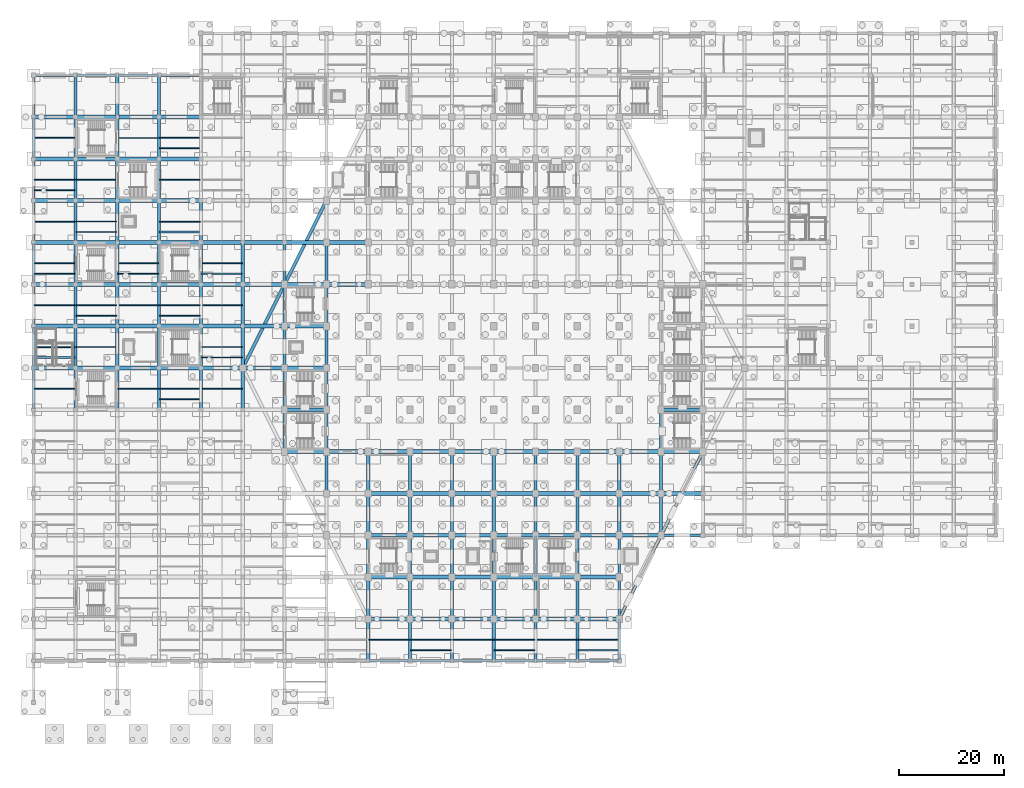
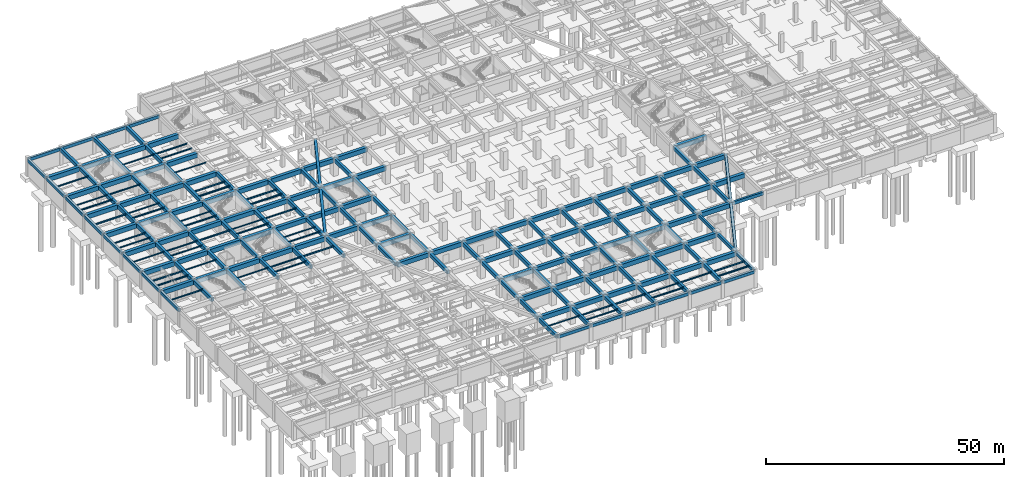
# One storey, part 18 of 36: 231 beams.
"""IFC4 building model written with IfcOpenShell, lengths in metres."""

from ifc_helpers import new_model, si_unit, direction, frame, origin, origin_2d, place, context, subcontext, project, spatial, rectangle, i_section, extrude, material, material_profile, profile_set, type_object, element, save


model = new_model("IFC4")

# Units and contexts
model_context = context("Model", 3, precision=1e-05, world=origin(), true_north=direction((0.0, 1.0)))
body_context = subcontext(model_context, "Body", "Model", "MODEL_VIEW")
ifc_project = project(units=[si_unit("LENGTHUNIT", "METRE"), si_unit("AREAUNIT", "SQUARE_METRE"), si_unit("VOLUMEUNIT", "CUBIC_METRE"), si_unit("PLANEANGLEUNIT", "RADIAN"), si_unit("MASSUNIT", "GRAM", prefix="KILO")], contexts=[model_context])

# Site, building, storey
site_placement = place(None, origin())
site = spatial("IfcSite", under=ifc_project, at=site_placement, CompositionType="ELEMENT")
building_placement = place(site_placement, origin())
building = spatial("IfcBuilding", under=site, at=building_placement, Name="Tazarka Park Arena", CompositionType="ELEMENT")
storey_placement = place(building_placement, frame((0.0, 0.0, -4.800048828125)))
storey = spatial("IfcBuildingStorey", under=building, at=storey_placement, Name="B1", CompositionType="ELEMENT", Elevation=-4.800048828125)

# Beams
ifc_material_1 = material(Name="Concrete C40/50", Category="concrete")
ifc_material_profile_1 = material_profile(ifc_material_1, rectangle(XDim=0.60009765625, YDim=0.949951171875, at=origin_2d()), Name="Concrete C40/50")
ifc_profile_set_1 = profile_set([ifc_material_profile_1], Name="Concrete C40/50")
beam_type_1 = type_object("IfcBeamType", Name="BM-B-03", PredefinedType="BEAM", material=ifc_profile_set_1)
for number, where, z_axis, x_axis, name in (
    (1, (8.0, 56.1201171875, 3.945068359375), (0.0, 1.0, 0.0), (-1.0, 0.0, 0.0), "GYM-B1-01-07"),
    (2, (8.0, 64.1201171875, 3.945068359375), (0.0, 1.0, 0.0), (-1.0, 0.0, 0.0), "GYM-B1-01-08"),
    (3, (8.0, 72.1201171875, 3.945068359375), (0.0, 1.0, 0.0), (-1.0, 0.0, 0.0), "GYM-B1-01-09"),
    (4, (8.0, 80.1201171875, 3.945068359375), (0.0, 1.0, 0.0), (-1.0, 0.0, 0.0), "GYM-B1-01-10"),
    (5, (8.0, 88.1201171875, 3.945068359375), (0.0, 1.0, 0.0), (-1.0, 0.0, 0.0), "GYM-B1-01-11"),
    (6, (8.0, 96.1201171875, 3.945068359375), (0.0, 1.0, 0.0), (-1.0, 0.0, 0.0), "GYM-B1-01-12"),
    (7, (8.0, 104.1201171875, 3.945068359375), (0.0, 1.0, 0.0), (-1.0, 0.0, 0.0), "GYM-B1-01-13"),
    (8, (8.0, 112.1201171875, 3.945068359375), (0.0, 1.0, 0.0), (-1.0, 0.0, 0.0), "GYM-B1-01-14"),
    (9, (16.0, 56.1201171875, 3.945068359375), (0.0, 1.0, 0.0), (-1.0, 0.0, 0.0), "GYM-B1-02-07"),
    (10, (16.0, 64.1201171875, 3.945068359375), (0.0, 1.0, 0.0), (-1.0, 0.0, 0.0), "GYM-B1-02-08"),
    (11, (16.0, 72.1201171875, 3.945068359375), (0.0, 1.0, 0.0), (-1.0, 0.0, 0.0), "GYM-B1-02-09"),
    (12, (16.0, 80.1201171875, 3.945068359375), (0.0, 1.0, 0.0), (-1.0, 0.0, 0.0), "GYM-B1-02-10"),
    (13, (16.0, 88.1201171875, 3.945068359375), (0.0, 1.0, 0.0), (-1.0, 0.0, 0.0), "GYM-B1-02-11"),
    (14, (16.0, 96.1201171875, 3.945068359375), (0.0, 1.0, 0.0), (-1.0, 0.0, 0.0), "GYM-B1-02-12"),
    (15, (16.0, 104.1201171875, 3.945068359375), (0.0, 1.0, 0.0), (-1.0, 0.0, 0.0), "GYM-B1-02-13"),
    (16, (16.0, 112.1201171875, 3.945068359375), (0.0, 1.0, 0.0), (-1.0, 0.0, 0.0), "GYM-B1-02-14"),
    (17, (24.0, 56.1201171875, 3.945068359375), (0.0, 1.0, 0.0), (-1.0, 0.0, 0.0), "GYM-B1-03-07"),
    (18, (24.0, 64.1201171875, 3.945068359375), (0.0, 1.0, 0.0), (-1.0, 0.0, 0.0), "GYM-B1-03-08"),
    (19, (24.0, 72.1201171875, 3.945068359375), (0.0, 1.0, 0.0), (-1.0, 0.0, 0.0), "GYM-B1-03-09"),
    (20, (24.0, 80.1201171875, 3.945068359375), (0.0, 1.0, 0.0), (-1.0, 0.0, 0.0), "GYM-B1-03-10"),
    (21, (24.0, 88.1201171875, 3.945068359375), (0.0, 1.0, 0.0), (-1.0, 0.0, 0.0), "GYM-B1-03-11"),
    (22, (24.0, 96.1201171875, 3.945068359375), (0.0, 1.0, 0.0), (-1.0, 0.0, 0.0), "GYM-B1-03-12"),
    (23, (24.0, 104.1201171875, 3.945068359375), (0.0, 1.0, 0.0), (-1.0, 0.0, 0.0), "GYM-B1-03-13"),
    (24, (24.0, 112.1201171875, 3.945068359375), (0.0, 1.0, 0.0), (-1.0, 0.0, 0.0), "GYM-B1-03-14"),
    (25, (32.0, 56.1201171875, 3.945068359375), (0.0, 1.0, 0.0), (-1.0, 0.0, 0.0), "GYM-B1-04-07"),
    (26, (32.0, 64.1201171875, 3.945068359375), (0.0, 1.0, 0.0), (-1.0, 0.0, 0.0), "GYM-B1-04-08"),
    (27, (32.0, 72.1201171875, 3.945068359375), (0.0, 1.0, 0.0), (-1.0, 0.0, 0.0), "GYM-B1-04-09"),
    (28, (32.0, 80.1201171875, 3.945068359375), (0.0, 1.0, 0.0), (-1.0, 0.0, 0.0), "GYM-B1-04-10"),
    (29, (32.0, 88.1201171875, 3.945068359375), (0.0, 1.0, 0.0), (-1.0, 0.0, 0.0), "GYM-B1-04-11"),
    (30, (40.0, 56.1201171875, 3.945068359375), (0.0, 1.0, 0.0), (-1.0, 0.0, 0.0), "GYM-B1-05-07"),
    (31, (40.0, 64.1201171875, 3.945068359375), (0.0, 1.0, 0.0), (-1.0, 0.0, 0.0), "GYM-B1-05-08"),
    (32, (40.0, 72.1201171875, 3.945068359375), (0.0, 1.0, 0.0), (-1.0, 0.0, 0.0), "GYM-B1-05-09"),
    (33, (40.0, 80.1201171875, 3.945068359375), (0.0, 1.0, 0.0), (-1.0, 0.0, 0.0), "GYM-B1-05-10"),
    (34, (48.0, 48.1201171875, 3.945068359375), (0.0, 1.0, 0.0), (-1.0, 0.0, 0.0), "GYM-B1-06-06"),
    (35, (48.0, 56.1201171875, 3.945068359375), (0.0, 1.0, 0.0), (-1.0, 0.0, 0.0), "GYM-B1-06-07"),
    (36, (48.0, 64.1201171875, 3.945068359375), (0.0, 1.0, 0.0), (-1.0, 0.0, 0.0), "GYM-B1-06-08"),
    (37, (48.0, 72.1201171875, 3.945068359375), (0.0, 1.0, 0.0), (-1.0, 0.0, 0.0), "GYM-B1-06-09"),
    (38, (48.0, 80.1201171875, 3.945068359375), (0.0, 1.0, 0.0), (-1.0, 0.0, 0.0), "GYM-B1-06-10"),
    (39, (56.0, 40.1201171875, 3.945068359375), (0.0, 1.0, 0.0), (-1.0, 0.0, 0.0), "GYM-B1-07-05"),
    (40, (56.0, 48.1201171875, 3.945068359375), (0.0, 1.0, 0.0), (-1.0, 0.0, 0.0), "GYM-B1-07-06"),
    (41, (56.0, 56.1201171875, 3.945068359375), (0.0, 1.0, 0.0), (-1.0, 0.0, 0.0), "GYM-B1-07-07"),
    (42, (56.0, 64.1201171875, 3.945068359375), (0.0, 1.0, 0.0), (-1.0, 0.0, 0.0), "GYM-B1-07-08"),
    (43, (56.0, 72.1201171875, 3.945068359375), (0.0, 1.0, 0.0), (-1.0, 0.0, 0.0), "GYM-B1-07-09"),
    (44, (56.0, 80.1201171875, 3.945068359375), (0.0, 1.0, 0.0), (-1.0, 0.0, 0.0), "GYM-B1-07-10"),
    (45, (64.0, 8.1201171875, 3.945068359375), (0.0, 1.0, 0.0), (-1.0, 0.0, 0.0), "GYM-B1-08-01"),
    (46, (64.0, 16.1201171875, 3.945068359375), (0.0, 1.0, 0.0), (-1.0, 0.0, 0.0), "GYM-B1-08-02"),
    (47, (64.0, 24.1201171875, 3.945068359375), (0.0, 1.0, 0.0), (-1.0, 0.0, 0.0), "GYM-B1-08-03"),
    (48, (64.0, 32.1201171875, 3.945068359375), (0.0, 1.0, 0.0), (-1.0, 0.0, 0.0), "GYM-B1-08-04"),
    (49, (64.0, 40.1201171875, 3.945068359375), (0.0, 1.0, 0.0), (-1.0, 0.0, 0.0), "GYM-B1-08-05"),
    (50, (72.0, 8.1201171875, 3.945068359375), (0.0, 1.0, 0.0), (-1.0, 0.0, 0.0), "GYM-B1-09-01"),
    (51, (72.0, 16.1201171875, 3.945068359375), (0.0, 1.0, 0.0), (-1.0, 0.0, 0.0), "GYM-B1-09-02"),
    (52, (72.0, 24.1201171875, 3.945068359375), (0.0, 1.0, 0.0), (-1.0, 0.0, 0.0), "GYM-B1-09-03"),
    (53, (72.0, 32.1201171875, 3.945068359375), (0.0, 1.0, 0.0), (-1.0, 0.0, 0.0), "GYM-B1-09-04"),
    (54, (72.0, 40.1201171875, 3.945068359375), (0.0, 1.0, 0.0), (-1.0, 0.0, 0.0), "GYM-B1-09-05"),
    (55, (80.0, 8.1201171875, 3.945068359375), (0.0, 1.0, 0.0), (-1.0, 0.0, 0.0), "GYM-B1-10-01"),
    (56, (80.0, 16.1201171875, 3.945068359375), (0.0, 1.0, 0.0), (-1.0, 0.0, 0.0), "GYM-B1-10-02"),
    (57, (80.0, 24.1201171875, 3.945068359375), (0.0, 1.0, 0.0), (-1.0, 0.0, 0.0), "GYM-B1-10-03"),
    (58, (80.0, 32.1201171875, 3.945068359375), (0.0, 1.0, 0.0), (-1.0, 0.0, 0.0), "GYM-B1-10-04"),
    (59, (80.0, 40.1201171875, 3.945068359375), (0.0, 1.0, 0.0), (-1.0, 0.0, 0.0), "GYM-B1-10-05"),
    (60, (88.0, 8.1201171875, 3.945068359375), (0.0, 1.0, 0.0), (-1.0, 0.0, 0.0), "GYM-B1-11-01"),
    (61, (88.0, 16.1201171875, 3.945068359375), (0.0, 1.0, 0.0), (-1.0, 0.0, 0.0), "GYM-B1-11-02"),
    (62, (88.0, 24.1201171875, 3.945068359375), (0.0, 1.0, 0.0), (-1.0, 0.0, 0.0), "GYM-B1-11-03"),
    (63, (88.0, 32.1201171875, 3.945068359375), (0.0, 1.0, 0.0), (-1.0, 0.0, 0.0), "GYM-B1-11-04"),
    (64, (88.0, 40.1201171875, 3.945068359375), (0.0, 1.0, 0.0), (-1.0, 0.0, 0.0), "GYM-B1-11-05"),
    (65, (96.0, 8.1201171875, 3.945068359375), (0.0, 1.0, 0.0), (-1.0, 0.0, 0.0), "GYM-B1-12-01"),
    (66, (96.0, 16.1201171875, 3.945068359375), (0.0, 1.0, 0.0), (-1.0, 0.0, 0.0), "GYM-B1-12-02"),
    (67, (96.0, 24.1201171875, 3.945068359375), (0.0, 1.0, 0.0), (-1.0, 0.0, 0.0), "GYM-B1-12-03"),
    (68, (96.0, 32.1201171875, 3.945068359375), (0.0, 1.0, 0.0), (-1.0, 0.0, 0.0), "GYM-B1-12-04"),
    (69, (96.0, 40.1201171875, 3.945068359375), (0.0, 1.0, 0.0), (-1.0, 0.0, 0.0), "GYM-B1-12-05"),
    (70, (104.0, 8.1201171875, 3.945068359375), (0.0, 1.0, 0.0), (-1.0, 0.0, 0.0), "GYM-B1-13-01"),
    (71, (104.0, 16.1201171875, 3.945068359375), (0.0, 1.0, 0.0), (-1.0, 0.0, 0.0), "GYM-B1-13-02"),
    (72, (104.0, 24.1201171875, 3.945068359375), (0.0, 1.0, 0.0), (-1.0, 0.0, 0.0), "GYM-B1-13-03"),
    (73, (104.0, 32.1201171875, 3.945068359375), (0.0, 1.0, 0.0), (-1.0, 0.0, 0.0), "GYM-B1-13-04"),
    (74, (104.0, 40.1201171875, 3.945068359375), (0.0, 1.0, 0.0), (-1.0, 0.0, 0.0), "GYM-B1-13-05"),
    (75, (112.0, 32.1201171875, 3.945068359375), (0.0, 1.0, 0.0), (-1.0, 0.0, 0.0), "GYM-B1-14-04"),
    (76, (112.0, 40.1201171875, 3.945068359375), (0.0, 1.0, 0.0), (-1.0, 0.0, 0.0), "GYM-B1-14-05"),
    (77, (120.0, 32.1201171875, 3.945068359375), (0.0, 1.0, 0.0), (-1.0, 0.0, 0.0), "GYM-B1-15-04"),
    (78, (120.0, 40.1201171875, 3.945068359375), (0.0, 1.0, 0.0), (-1.0, 0.0, 0.0), "GYM-B1-15-05"),
    (79, (120.0, 48.1201171875, 3.945068359375), (0.0, 1.0, 0.0), (-1.0, 0.0, 0.0), "GYM-B1-15-06"),
):
    element("IfcBeam", number, at=place(storey_placement, frame(where, z_axis=z_axis, x_axis=x_axis)), inside=storey, type_object=beam_type_1, Name=name, PredefinedType="BEAM", context=body_context, shape_type="SweptSolid", body=[
        extrude(rectangle(XDim=0.60009765625, YDim=0.949951171875, at=origin_2d()), origin(), (0.0, 0.0, 1.0), 7.759765625),
    ])
ifc_material_2 = material(Name="Concrete C40/50", Category="concrete")
ifc_material_profile_2 = material_profile(ifc_material_2, rectangle(XDim=0.75, YDim=1.14990234375, at=origin_2d()), Name="Concrete C40/50")
ifc_profile_set_2 = profile_set([ifc_material_profile_2], Name="Concrete C40/50")
beam_type_2 = type_object("IfcBeamType", Name="BM-B-04", PredefinedType="BEAM", material=ifc_profile_set_2)
for number, where, z_axis, x_axis, name in (
    (80, (0.1201171875, 64.0, 3.844970703125), (1.0, 0.0, 0.0), (0.0, 1.0, 0.0), "GXM-B1-00-08"),
    (81, (0.1201171875, 72.0, 3.844970703125), (1.0, 0.0, 0.0), (0.0, 1.0, 0.0), "GXM-B1-00-09"),
    (82, (0.1201171875, 80.0, 3.844970703125), (1.0, 0.0, 0.0), (0.0, 1.0, 0.0), "GXM-B1-00-10"),
    (83, (0.1201171875, 88.0, 3.844970703125), (1.0, 0.0, 0.0), (0.0, 1.0, 0.0), "GXM-B1-00-11"),
    (84, (0.1201171875, 96.0, 3.844970703125), (1.0, 0.0, 0.0), (0.0, 1.0, 0.0), "GXM-B1-00-12"),
    (85, (0.1201171875, 104.0, 3.844970703125), (1.0, 0.0, 0.0), (0.0, 1.0, 0.0), "GXM-B1-00-13"),
    (86, (0.1201171875, 112.0, 3.844970703125), (1.0, 0.0, 0.0), (0.0, 1.0, 0.0), "GXM-B1-00-14"),
    (87, (8.1201171875, 64.0, 3.844970703125), (1.0, 0.0, 0.0), (0.0, 1.0, 0.0), "GXM-B1-01-08"),
    (88, (8.1201171875, 72.0, 3.844970703125), (1.0, 0.0, 0.0), (0.0, 1.0, 0.0), "GXM-B1-01-09"),
    (89, (8.1201171875, 80.0, 3.844970703125), (1.0, 0.0, 0.0), (0.0, 1.0, 0.0), "GXM-B1-01-10"),
    (90, (8.1201171875, 88.0, 3.844970703125), (1.0, 0.0, 0.0), (0.0, 1.0, 0.0), "GXM-B1-01-11"),
    (91, (8.1201171875, 96.0, 3.844970703125), (1.0, 0.0, 0.0), (0.0, 1.0, 0.0), "GXM-B1-01-12"),
    (92, (8.1201171875, 104.0, 3.844970703125), (1.0, 0.0, 0.0), (0.0, 1.0, 0.0), "GXM-B1-01-13"),
    (93, (8.1201171875, 112.0, 3.844970703125), (1.0, 0.0, 0.0), (0.0, 1.0, 0.0), "GXM-B1-01-14"),
    (94, (16.1201171875, 64.0, 3.844970703125), (1.0, 0.0, 0.0), (0.0, 1.0, 0.0), "GXM-B1-02-08"),
    (95, (16.1201171875, 72.0, 3.844970703125), (1.0, 0.0, 0.0), (0.0, 1.0, 0.0), "GXM-B1-02-09"),
    (96, (16.1201171875, 80.0, 3.844970703125), (1.0, 0.0, 0.0), (0.0, 1.0, 0.0), "GXM-B1-02-10"),
    (97, (16.1201171875, 88.0, 3.844970703125), (1.0, 0.0, 0.0), (0.0, 1.0, 0.0), "GXM-B1-02-11"),
    (98, (16.1201171875, 96.0, 3.844970703125), (1.0, 0.0, 0.0), (0.0, 1.0, 0.0), "GXM-B1-02-12"),
    (99, (16.1201171875, 104.0, 3.844970703125), (1.0, 0.0, 0.0), (0.0, 1.0, 0.0), "GXM-B1-02-13"),
    (100, (16.1201171875, 112.0, 3.844970703125), (1.0, 0.0, 0.0), (0.0, 1.0, 0.0), "GXM-B1-02-14"),
    (101, (24.1201171875, 64.0, 3.844970703125), (1.0, 0.0, 0.0), (0.0, 1.0, 0.0), "GXM-B1-03-08"),
    (102, (24.1201171875, 72.0, 3.844970703125), (1.0, 0.0, 0.0), (0.0, 1.0, 0.0), "GXM-B1-03-09"),
    (103, (24.1201171875, 80.0, 3.844970703125), (1.0, 0.0, 0.0), (0.0, 1.0, 0.0), "GXM-B1-03-10"),
    (104, (24.1201171875, 88.0, 3.844970703125), (1.0, 0.0, 0.0), (0.0, 1.0, 0.0), "GXM-B1-03-11"),
    (105, (24.1201171875, 96.0, 3.844970703125), (1.0, 0.0, 0.0), (0.0, 1.0, 0.0), "GXM-B1-03-12"),
    (106, (24.1201171875, 104.0, 3.844970703125), (1.0, 0.0, 0.0), (0.0, 1.0, 0.0), "GXM-B1-03-13"),
    (107, (24.1201171875, 112.0, 3.844970703125), (1.0, 0.0, 0.0), (0.0, 1.0, 0.0), "GXM-B1-03-14"),
    (108, (32.1201171875, 64.0, 3.844970703125), (1.0, 0.0, 0.0), (0.0, 1.0, 0.0), "GXM-B1-04-08"),
    (109, (32.1201171875, 72.0, 3.844970703125), (1.0, 0.0, 0.0), (0.0, 1.0, 0.0), "GXM-B1-04-09"),
    (110, (32.1201171875, 80.0, 3.844970703125), (1.0, 0.0, 0.0), (0.0, 1.0, 0.0), "GXM-B1-04-10"),
    (111, (32.1201171875, 88.0, 3.844970703125), (1.0, 0.0, 0.0), (0.0, 1.0, 0.0), "GXM-B1-04-11"),
    (112, (40.1201171875, 64.0, 3.844970703125), (1.0, 0.0, 0.0), (0.0, 1.0, 0.0), "GXM-B1-05-08"),
    (113, (40.1201171875, 72.0, 3.844970703125), (1.0, 0.0, 0.0), (0.0, 1.0, 0.0), "GXM-B1-05-09"),
    (114, (40.1201171875, 80.0, 3.844970703125), (1.0, 0.0, 0.0), (0.0, 1.0, 0.0), "GXM-B1-05-10"),
    (115, (40.1201171875, 88.0, 3.844970703125), (1.0, 0.0, 0.0), (0.0, 1.0, 0.0), "GXM-B1-05-11"),
    (116, (48.1201171875, 48.0, 3.844970703125), (1.0, 0.0, 0.0), (0.0, 1.0, 0.0), "GXM-B1-06-06"),
    (117, (48.1201171875, 56.0, 3.844970703125), (1.0, 0.0, 0.0), (0.0, 1.0, 0.0), "GXM-B1-06-07"),
    (118, (48.1201171875, 64.0, 3.844970703125), (1.0, 0.0, 0.0), (0.0, 1.0, 0.0), "GXM-B1-06-08"),
    (119, (48.1201171875, 72.0, 3.844970703125), (1.0, 0.0, 0.0), (0.0, 1.0, 0.0), "GXM-B1-06-09"),
    (120, (48.1201171875, 80.0, 3.844970703125), (1.0, 0.0, 0.0), (0.0, 1.0, 0.0), "GXM-B1-06-10"),
    (121, (48.1201171875, 88.0, 3.844970703125), (1.0, 0.0, 0.0), (0.0, 1.0, 0.0), "GXM-B1-06-11"),
    (122, (56.1201171875, 48.0, 3.844970703125), (1.0, 0.0, 0.0), (0.0, 1.0, 0.0), "GXM-B1-07-06"),
    (123, (56.1201171875, 80.0, 3.844970703125), (1.0, 0.0, 0.0), (0.0, 1.0, 0.0), "GXM-B1-07-10"),
    (124, (56.1201171875, 88.0, 3.844970703125), (1.0, 0.0, 0.0), (0.0, 1.0, 0.0), "GXM-B1-07-11"),
    (125, (64.1201171875, 16.0, 3.844970703125), (1.0, 0.0, 0.0), (0.0, 1.0, 0.0), "GXM-B1-08-02"),
    (126, (64.1201171875, 24.0, 3.844970703125), (1.0, 0.0, 0.0), (0.0, 1.0, 0.0), "GXM-B1-08-03"),
    (127, (64.1201171875, 32.0, 3.844970703125), (1.0, 0.0, 0.0), (0.0, 1.0, 0.0), "GXM-B1-08-04"),
    (128, (64.1201171875, 40.0, 3.844970703125), (1.0, 0.0, 0.0), (0.0, 1.0, 0.0), "GXM-B1-08-05"),
    (129, (64.1201171875, 48.0, 3.844970703125), (1.0, 0.0, 0.0), (0.0, 1.0, 0.0), "GXM-B1-08-06"),
    (130, (72.1201171875, 16.0, 3.844970703125), (1.0, 0.0, 0.0), (0.0, 1.0, 0.0), "GXM-B1-09-02"),
    (131, (72.1201171875, 24.0, 3.844970703125), (1.0, 0.0, 0.0), (0.0, 1.0, 0.0), "GXM-B1-09-03"),
    (132, (72.1201171875, 32.0, 3.844970703125), (1.0, 0.0, 0.0), (0.0, 1.0, 0.0), "GXM-B1-09-04"),
    (133, (72.1201171875, 40.0, 3.844970703125), (1.0, 0.0, 0.0), (0.0, 1.0, 0.0), "GXM-B1-09-05"),
    (134, (72.1201171875, 48.0, 3.844970703125), (1.0, 0.0, 0.0), (0.0, 1.0, 0.0), "GXM-B1-09-06"),
    (135, (80.1201171875, 16.0, 3.844970703125), (1.0, 0.0, 0.0), (0.0, 1.0, 0.0), "GXM-B1-10-02"),
    (136, (80.1201171875, 24.0, 3.844970703125), (1.0, 0.0, 0.0), (0.0, 1.0, 0.0), "GXM-B1-10-03"),
    (137, (80.1201171875, 32.0, 3.844970703125), (1.0, 0.0, 0.0), (0.0, 1.0, 0.0), "GXM-B1-10-04"),
    (138, (80.1201171875, 40.0, 3.844970703125), (1.0, 0.0, 0.0), (0.0, 1.0, 0.0), "GXM-B1-10-05"),
    (139, (80.1201171875, 48.0, 3.844970703125), (1.0, 0.0, 0.0), (0.0, 1.0, 0.0), "GXM-B1-10-06"),
    (140, (88.1201171875, 16.0, 3.844970703125), (1.0, 0.0, 0.0), (0.0, 1.0, 0.0), "GXM-B1-11-02"),
    (141, (88.1201171875, 24.0, 3.844970703125), (1.0, 0.0, 0.0), (0.0, 1.0, 0.0), "GXM-B1-11-03"),
    (142, (88.1201171875, 32.0, 3.844970703125), (1.0, 0.0, 0.0), (0.0, 1.0, 0.0), "GXM-B1-11-04"),
    (143, (88.1201171875, 40.0, 3.844970703125), (1.0, 0.0, 0.0), (0.0, 1.0, 0.0), "GXM-B1-11-05"),
    (144, (88.1201171875, 48.0, 3.844970703125), (1.0, 0.0, 0.0), (0.0, 1.0, 0.0), "GXM-B1-11-06"),
    (145, (96.1201171875, 16.0, 3.844970703125), (1.0, 0.0, 0.0), (0.0, 1.0, 0.0), "GXM-B1-12-02"),
    (146, (96.1201171875, 24.0, 3.844970703125), (1.0, 0.0, 0.0), (0.0, 1.0, 0.0), "GXM-B1-12-03"),
    (147, (96.1201171875, 32.0, 3.844970703125), (1.0, 0.0, 0.0), (0.0, 1.0, 0.0), "GXM-B1-12-04"),
    (148, (96.1201171875, 40.0, 3.844970703125), (1.0, 0.0, 0.0), (0.0, 1.0, 0.0), "GXM-B1-12-05"),
    (149, (96.1201171875, 48.0, 3.844970703125), (1.0, 0.0, 0.0), (0.0, 1.0, 0.0), "GXM-B1-12-06"),
    (150, (104.1201171875, 16.0, 3.844970703125), (1.0, 0.0, 0.0), (0.0, 1.0, 0.0), "GXM-B1-13-02"),
    (151, (104.1201171875, 24.0, 3.844970703125), (1.0, 0.0, 0.0), (0.0, 1.0, 0.0), "GXM-B1-13-03"),
    (152, (104.1201171875, 32.0, 3.844970703125), (1.0, 0.0, 0.0), (0.0, 1.0, 0.0), "GXM-B1-13-04"),
    (153, (104.1201171875, 40.0, 3.844970703125), (1.0, 0.0, 0.0), (0.0, 1.0, 0.0), "GXM-B1-13-05"),
    (154, (104.1201171875, 48.0, 3.844970703125), (1.0, 0.0, 0.0), (0.0, 1.0, 0.0), "GXM-B1-13-06"),
    (155, (112.1201171875, 32.0, 3.844970703125), (1.0, 0.0, 0.0), (0.0, 1.0, 0.0), "GXM-B1-14-04"),
    (156, (112.1201171875, 40.0, 3.844970703125), (1.0, 0.0, 0.0), (0.0, 1.0, 0.0), "GXM-B1-14-05"),
    (157, (112.1201171875, 48.0, 3.844970703125), (1.0, 0.0, 0.0), (0.0, 1.0, 0.0), "GXM-B1-14-06"),
    (158, (120.1201171875, 40.0, 3.844970703125), (1.0, 0.0, 0.0), (0.0, 1.0, 0.0), "GXM-B1-15-05"),
    (159, (120.1201171875, 48.0, 3.844970703125), (1.0, 0.0, 0.0), (0.0, 1.0, 0.0), "GXM-B1-15-06"),
    (160, (120.1201171875, 56.0, 3.844970703125), (1.0, 0.0, 0.0), (0.0, 1.0, 0.0), "GXM-B1-15-07"),
):
    element("IfcBeam", number, at=place(storey_placement, frame(where, z_axis=z_axis, x_axis=x_axis)), inside=storey, type_object=beam_type_2, Name=name, PredefinedType="BEAM", context=body_context, shape_type="SweptSolid", body=[
        extrude(rectangle(XDim=0.75, YDim=1.14990234375, at=origin_2d()), origin(), (0.0, 0.0, 1.0), 7.759765625),
    ])
ifc_material_3 = material(Name="Steel S355", Category="steel")
ifc_material_profile_3 = material_profile(ifc_material_3, i_section(OverallWidth=0.14990234375, OverallDepth=0.300048828125, WebThickness=0.007080078125, FlangeThickness=0.0107421875, FilletRadius=0.014892578125, at=origin_2d()), Name="Steel S355")
ifc_profile_set_3 = profile_set([ifc_material_profile_3], Name="Steel S355")
beam_type_3 = type_object("IfcBeamType", Name="BM-J-01", PredefinedType="JOIST", material=ifc_profile_set_3)
for number, where, z_axis, x_axis, name in (
    (161, (0.1201171875, 76.0, 4.27001953125), (1.0, 0.0, 0.0), (0.0, 1.0, 0.0), "JST-B1-00-09"),
    (162, (0.1201171875, 100.0, 4.27001953125), (1.0, 0.0, 0.0), (0.0, 1.0, 0.0), "JST-B1-00-12"),
    (163, (8.1201171875, 68.0, 4.27001953125), (1.0, 0.0, 0.0), (0.0, 1.0, 0.0), "JST-B1-01-08"),
    (164, (8.1201171875, 92.0, 4.27001953125), (1.0, 0.0, 0.0), (0.0, 1.0, 0.0), "JST-B1-01-11"),
    (165, (16.1201171875, 60.0, 4.27001953125), (1.0, 0.0, 0.0), (0.0, 1.0, 0.0), "JST-B1-02-07"),
    (166, (16.1201171875, 84.0, 4.27001953125), (1.0, 0.0, 0.0), (0.0, 1.0, 0.0), "JST-B1-02-10"),
    (167, (16.1201171875, 108.0, 4.27001953125), (1.0, 0.0, 0.0), (0.0, 1.0, 0.0), "JST-B1-02-13"),
    (168, (24.1201171875, 76.0, 4.27001953125), (1.0, 0.0, 0.0), (0.0, 1.0, 0.0), "JST-B1-03-09"),
    (169, (24.1201171875, 100.0, 4.27001953125), (1.0, 0.0, 0.0), (0.0, 1.0, 0.0), "JST-B1-03-12"),
    (170, (32.1201171875, 68.0, 4.27001953125), (1.0, 0.0, 0.0), (0.0, 1.0, 0.0), "JST-B1-04-08"),
    (171, (64.1201171875, 12.0, 4.27001953125), (1.0, 0.0, 0.0), (0.0, 1.0, 0.0), "JST-B1-08-01"),
    (172, (88.1201171875, 12.0, 4.27001953125), (1.0, 0.0, 0.0), (0.0, 1.0, 0.0), "JST-B1-11-01"),
):
    element("IfcBeam", number, at=place(storey_placement, frame(where, z_axis=z_axis, x_axis=x_axis)), inside=storey, type_object=beam_type_3, Name=name, PredefinedType="JOIST", context=body_context, shape_type="SweptSolid", body=[
        extrude(i_section(OverallWidth=0.14990234375, OverallDepth=0.300048828125, WebThickness=0.007080078125, FlangeThickness=0.0107421875, FilletRadius=0.014892578125, at=origin_2d()), origin(), (0.0, 0.0, 1.0), 7.759765625),
    ])
ifc_material_4 = material(Name="Steel S355", Category="steel")
ifc_material_profile_4 = material_profile(ifc_material_4, i_section(OverallWidth=0.169921875, OverallDepth=0.360107421875, WebThickness=0.008056640625, FlangeThickness=0.0126953125, FilletRadius=0.01806640625, at=origin_2d()), Name="Steel S355")
ifc_profile_set_4 = profile_set([ifc_material_profile_4], Name="Steel S355")
beam_type_4 = type_object("IfcBeamType", Name="BM-J-02", PredefinedType="JOIST", material=ifc_profile_set_4)
for number, where, z_axis, x_axis, name in (
    (173, (0.1201171875, 60.0, 4.239990234375), (1.0, 0.0, 0.0), (0.0, 1.0, 0.0), "JST-B1-00-07"),
    (174, (0.1201171875, 84.0, 4.239990234375), (1.0, 0.0, 0.0), (0.0, 1.0, 0.0), "JST-B1-00-10"),
    (175, (0.1201171875, 108.0, 4.239990234375), (1.0, 0.0, 0.0), (0.0, 1.0, 0.0), "JST-B1-00-13"),
    (176, (8.1201171875, 76.0, 4.239990234375), (1.0, 0.0, 0.0), (0.0, 1.0, 0.0), "JST-B1-01-09"),
    (177, (8.1201171875, 100.0, 4.239990234375), (1.0, 0.0, 0.0), (0.0, 1.0, 0.0), "JST-B1-01-12"),
    (178, (24.1201171875, 60.0, 4.239990234375), (1.0, 0.0, 0.0), (0.0, 1.0, 0.0), "JST-B1-03-07"),
    (179, (24.1201171875, 108.0, 4.239990234375), (1.0, 0.0, 0.0), (0.0, 1.0, 0.0), "JST-B1-03-13"),
    (180, (32.1201171875, 76.0, 4.239990234375), (1.0, 0.0, 0.0), (0.0, 1.0, 0.0), "JST-B1-04-09"),
    (181, (72.1201171875, 12.0, 4.239990234375), (1.0, 0.0, 0.0), (0.0, 1.0, 0.0), "JST-B1-09-01"),
    (182, (96.1201171875, 12.0, 4.239990234375), (1.0, 0.0, 0.0), (0.0, 1.0, 0.0), "JST-B1-12-01"),
):
    element("IfcBeam", number, at=place(storey_placement, frame(where, z_axis=z_axis, x_axis=x_axis)), inside=storey, type_object=beam_type_4, Name=name, PredefinedType="JOIST", context=body_context, shape_type="SweptSolid", body=[
        extrude(i_section(OverallWidth=0.169921875, OverallDepth=0.360107421875, WebThickness=0.008056640625, FlangeThickness=0.0126953125, FilletRadius=0.01806640625, at=origin_2d()), origin(), (0.0, 0.0, 1.0), 7.759765625),
    ])
ifc_material_5 = material(Name="Steel S355", Category="steel")
ifc_material_profile_5 = material_profile(ifc_material_5, i_section(OverallWidth=0.179931640625, OverallDepth=0.39990234375, WebThickness=0.008544921875, FlangeThickness=0.013427734375, FilletRadius=0.02099609375, at=origin_2d()), Name="Steel S355")
ifc_profile_set_5 = profile_set([ifc_material_profile_5], Name="Steel S355")
beam_type_5 = type_object("IfcBeamType", Name="BM-J-03", PredefinedType="JOIST", material=ifc_profile_set_5)
for number, where, z_axis, x_axis, name in (
    (183, (0.1201171875, 68.0, 4.219970703125), (1.0, 0.0, 0.0), (0.0, 1.0, 0.0), "JST-B1-00-08"),
    (184, (0.1201171875, 92.0, 4.219970703125), (1.0, 0.0, 0.0), (0.0, 1.0, 0.0), "JST-B1-00-11"),
    (185, (16.1201171875, 76.0, 4.219970703125), (1.0, 0.0, 0.0), (0.0, 1.0, 0.0), "JST-B1-02-09"),
    (186, (24.1201171875, 92.0, 4.219970703125), (1.0, 0.0, 0.0), (0.0, 1.0, 0.0), "JST-B1-03-11"),
    (187, (32.1201171875, 60.0, 4.219970703125), (1.0, 0.0, 0.0), (0.0, 1.0, 0.0), "JST-B1-04-07"),
    (188, (32.1201171875, 84.0, 4.219970703125), (1.0, 0.0, 0.0), (0.0, 1.0, 0.0), "JST-B1-04-10"),
    (189, (80.1201171875, 12.0, 4.219970703125), (1.0, 0.0, 0.0), (0.0, 1.0, 0.0), "JST-B1-10-01"),
    (190, (104.1201171875, 12.0, 4.219970703125), (1.0, 0.0, 0.0), (0.0, 1.0, 0.0), "JST-B1-13-01"),
):
    element("IfcBeam", number, at=place(storey_placement, frame(where, z_axis=z_axis, x_axis=x_axis)), inside=storey, type_object=beam_type_5, Name=name, PredefinedType="JOIST", context=body_context, shape_type="SweptSolid", body=[
        extrude(i_section(OverallWidth=0.179931640625, OverallDepth=0.39990234375, WebThickness=0.008544921875, FlangeThickness=0.013427734375, FilletRadius=0.02099609375, at=origin_2d()), origin(), (0.0, 0.0, 1.0), 7.759765625),
    ])
ifc_material_6 = material(Name="Steel S355", Category="steel")
ifc_material_profile_6 = material_profile(ifc_material_6, i_section(OverallWidth=0.135009765625, OverallDepth=0.27001953125, WebThickness=0.006591796875, FlangeThickness=0.01025390625, FilletRadius=0.014892578125, at=origin_2d()), Name="Steel S355")
ifc_profile_set_6 = profile_set([ifc_material_profile_6], Name="Steel S355")
beam_type_6 = type_object("IfcBeamType", Name="BM-J-04", PredefinedType="JOIST", material=ifc_profile_set_6)
for number, where, z_axis, x_axis, name in (
    (191, (0.1201171875, 98.0, 4.28515625), (1.0, 0.0, 0.0), (0.0, 1.0, 0.0), "JST2-B1-00-12"),
    (192, (8.1201171875, 90.0, 4.28515625), (1.0, 0.0, 0.0), (0.0, 1.0, 0.0), "JST2-B1-01-11"),
    (193, (16.1201171875, 82.0, 4.28515625), (1.0, 0.0, 0.0), (0.0, 1.0, 0.0), "JST2-B1-02-10"),
    (194, (24.1201171875, 74.0, 4.28515625), (1.0, 0.0, 0.0), (0.0, 1.0, 0.0), "JST2-B1-03-09"),
    (195, (32.1201171875, 66.0, 4.28515625), (1.0, 0.0, 0.0), (0.0, 1.0, 0.0), "JST2-B1-04-08"),
    (196, (88.1201171875, 10.0, 4.28515625), (1.0, 0.0, 0.0), (0.0, 1.0, 0.0), "JST2-B1-11-01"),
):
    element("IfcBeam", number, at=place(storey_placement, frame(where, z_axis=z_axis, x_axis=x_axis)), inside=storey, type_object=beam_type_6, Name=name, PredefinedType="JOIST", context=body_context, shape_type="SweptSolid", body=[
        extrude(i_section(OverallWidth=0.135009765625, OverallDepth=0.27001953125, WebThickness=0.006591796875, FlangeThickness=0.01025390625, FilletRadius=0.014892578125, at=origin_2d()), origin(), (0.0, 0.0, 1.0), 7.759765625),
    ])
ifc_material_7 = material(Name="Steel S355", Category="steel")
ifc_material_profile_7 = material_profile(ifc_material_7, i_section(OverallWidth=0.159912109375, OverallDepth=0.330078125, WebThickness=0.007568359375, FlangeThickness=0.011474609375, FilletRadius=0.01806640625, at=origin_2d()), Name="Steel S355")
ifc_profile_set_7 = profile_set([ifc_material_profile_7], Name="Steel S355")
beam_type_7 = type_object("IfcBeamType", Name="BM-J-05", PredefinedType="JOIST", material=ifc_profile_set_7)
for number, where, z_axis, x_axis, name in (
    (197, (0.1201171875, 82.0, 4.255126953125), (1.0, 0.0, 0.0), (0.0, 1.0, 0.0), "JST2-B1-00-10"),
    (198, (8.1201171875, 74.0, 4.255126953125), (1.0, 0.0, 0.0), (0.0, 1.0, 0.0), "JST2-B1-01-09"),
    (199, (24.1201171875, 58.0, 4.255126953125), (1.0, 0.0, 0.0), (0.0, 1.0, 0.0), "JST2-B1-03-07"),
    (200, (24.1201171875, 106.0, 4.255126953125), (1.0, 0.0, 0.0), (0.0, 1.0, 0.0), "JST2-B1-03-13"),
    (201, (72.1201171875, 10.0, 4.255126953125), (1.0, 0.0, 0.0), (0.0, 1.0, 0.0), "JST2-B1-09-01"),
):
    element("IfcBeam", number, at=place(storey_placement, frame(where, z_axis=z_axis, x_axis=x_axis)), inside=storey, type_object=beam_type_7, Name=name, PredefinedType="JOIST", context=body_context, shape_type="SweptSolid", body=[
        extrude(i_section(OverallWidth=0.159912109375, OverallDepth=0.330078125, WebThickness=0.007568359375, FlangeThickness=0.011474609375, FilletRadius=0.01806640625, at=origin_2d()), origin(), (0.0, 0.0, 1.0), 7.759765625),
    ])
ifc_material_8 = material(Name="Steel S355", Category="steel")
ifc_material_profile_8 = material_profile(ifc_material_8, i_section(OverallWidth=0.300048828125, OverallDepth=0.330078125, WebThickness=0.009521484375, FlangeThickness=0.0166015625, FilletRadius=0.027099609375, at=origin_2d()), Name="Steel S355")
ifc_profile_set_8 = profile_set([ifc_material_profile_8], Name="Steel S355")
beam_type_8 = type_object("IfcBeamType", Name="BM-J-06", PredefinedType="JOIST", material=ifc_profile_set_8)
for number, where, z_axis, x_axis, name in (
    (202, (0.1201171875, 66.0, 4.255126953125), (1.0, 0.0, 0.0), (0.0, 1.0, 0.0), "JST2-B1-00-08"),
    (203, (24.1201171875, 90.0, 4.255126953125), (1.0, 0.0, 0.0), (0.0, 1.0, 0.0), "JST2-B1-03-11"),
    (204, (32.1201171875, 82.0, 4.255126953125), (1.0, 0.0, 0.0), (0.0, 1.0, 0.0), "JST2-B1-04-10"),
    (205, (104.1201171875, 10.0, 4.255126953125), (1.0, 0.0, 0.0), (0.0, 1.0, 0.0), "JST2-B1-13-01"),
):
    element("IfcBeam", number, at=place(storey_placement, frame(where, z_axis=z_axis, x_axis=x_axis)), inside=storey, type_object=beam_type_8, Name=name, PredefinedType="JOIST", context=body_context, shape_type="SweptSolid", body=[
        extrude(i_section(OverallWidth=0.300048828125, OverallDepth=0.330078125, WebThickness=0.009521484375, FlangeThickness=0.0166015625, FilletRadius=0.027099609375, at=origin_2d()), origin(), (0.0, 0.0, 1.0), 7.759765625),
    ])
ifc_material_9 = material(Name="Concrete C40/50", Category="concrete")
ifc_material_profile_9 = material_profile(ifc_material_9, rectangle(XDim=0.5, YDim=0.800048828125, at=origin_2d()), Name="Concrete C40/50")
ifc_profile_set_9 = profile_set([ifc_material_profile_9], Name="Concrete C40/50")
beam_type_9 = type_object("IfcBeamType", Name="BM-SP-01", PredefinedType="SPANDREL", material=ifc_profile_set_9)
for number, where, z_axis, x_axis, name in (
    (206, (0.0, 56.1201171875, 4.02001953125), (0.0, 1.0, 0.0), (-1.0, 0.0, 0.0), "GYM-B1-00-07"),
    (207, (0.0, 64.1201171875, 4.02001953125), (0.0, 1.0, 0.0), (-1.0, 0.0, 0.0), "GYM-B1-00-08"),
    (208, (0.0, 72.1201171875, 4.02001953125), (0.0, 1.0, 0.0), (-1.0, 0.0, 0.0), "GYM-B1-00-09"),
    (209, (0.0, 80.1201171875, 4.02001953125), (0.0, 1.0, 0.0), (-1.0, 0.0, 0.0), "GYM-B1-00-10"),
    (210, (0.0, 88.1201171875, 4.02001953125), (0.0, 1.0, 0.0), (-1.0, 0.0, 0.0), "GYM-B1-00-11"),
    (211, (0.0, 96.1201171875, 4.02001953125), (0.0, 1.0, 0.0), (-1.0, 0.0, 0.0), "GYM-B1-00-12"),
    (212, (0.0, 104.1201171875, 4.02001953125), (0.0, 1.0, 0.0), (-1.0, 0.0, 0.0), "GYM-B1-00-13"),
    (213, (0.0, 112.1201171875, 4.02001953125), (0.0, 1.0, 0.0), (-1.0, 0.0, 0.0), "GYM-B1-00-14"),
    (214, (0.1201171875, 120.0, 4.02001953125), (1.0, 0.0, 0.0), (0.0, 1.0, 0.0), "GXM-B1-00-15"),
    (215, (8.1201171875, 120.0, 4.02001953125), (1.0, 0.0, 0.0), (0.0, 1.0, 0.0), "GXM-B1-01-15"),
    (216, (16.1201171875, 120.0, 4.02001953125), (1.0, 0.0, 0.0), (0.0, 1.0, 0.0), "GXM-B1-02-15"),
    (217, (24.1201171875, 120.0, 4.02001953125), (1.0, 0.0, 0.0), (0.0, 1.0, 0.0), "GXM-B1-03-15"),
    (218, (64.1201171875, 8.0, 4.02001953125), (1.0, 0.0, 0.0), (0.0, 1.0, 0.0), "GXM-B1-08-01"),
    (219, (72.1201171875, 8.0, 4.02001953125), (1.0, 0.0, 0.0), (0.0, 1.0, 0.0), "GXM-B1-09-01"),
    (220, (80.1201171875, 8.0, 4.02001953125), (1.0, 0.0, 0.0), (0.0, 1.0, 0.0), "GXM-B1-10-01"),
    (221, (88.1201171875, 8.0, 4.02001953125), (1.0, 0.0, 0.0), (0.0, 1.0, 0.0), "GXM-B1-11-01"),
    (222, (96.1201171875, 8.0, 4.02001953125), (1.0, 0.0, 0.0), (0.0, 1.0, 0.0), "GXM-B1-12-01"),
    (223, (104.1201171875, 8.0, 4.02001953125), (1.0, 0.0, 0.0), (0.0, 1.0, 0.0), "GXM-B1-13-01"),
    (224, (112.0, 8.1201171875, 4.02001953125), (0.0, 1.0, 0.0), (-1.0, 0.0, 0.0), "GYM-B1-14-01"),
    (225, (112.0, 16.1201171875, 4.02001953125), (0.0, 1.0, 0.0), (-1.0, 0.0, 0.0), "GYM-B1-14-02"),
    (226, (112.0, 24.1201171875, 4.02001953125), (0.0, 1.0, 0.0), (-1.0, 0.0, 0.0), "GYM-B1-14-03"),
    (227, (120.1201171875, 32.0, 4.02001953125), (1.0, 0.0, 0.0), (0.0, 1.0, 0.0), "GXM-B1-15-04"),
):
    element("IfcBeam", number, at=place(storey_placement, frame(where, z_axis=z_axis, x_axis=x_axis)), inside=storey, type_object=beam_type_9, Name=name, PredefinedType="SPANDREL", context=body_context, shape_type="SweptSolid", body=[
        extrude(rectangle(XDim=0.5, YDim=0.800048828125, at=origin_2d()), origin(), (0.0, 0.0, 1.0), 7.759765625),
    ])
ifc_material_10 = material(Name="Concrete C40/50", Category="concrete")
ifc_material_profile_10 = material_profile(ifc_material_10, rectangle(XDim=0.60009765625, YDim=0.949951171875, at=origin_2d()), Name="Concrete C40/50")
ifc_profile_set_10 = profile_set([ifc_material_profile_10], Name="Concrete C40/50")
beam_type_10 = type_object("IfcBeamType", Name="BM-SP-03", PredefinedType="SPANDREL", material=ifc_profile_set_10)
for number, where, z_axis, x_axis, name in (
    (228, (112.0537109375, 16.107421875, 3.945068359375), (0.4472135955, 0.894427191, 0.0), (-0.894427191, 0.4472135955, 0.0), "RING BEAM SP-03-B1-07"),
    (229, (120.0537109375, 32.107421875, 3.945068359375), (0.4472135955, 0.894427191, 0.0), (-0.894427191, 0.4472135955, 0.0), "RING BEAM SP-03-B1-08"),
    (230, (55.9462890625, 95.892578125, 3.945068359375), (-0.4472135955, -0.894427191, 0.0), (0.894427191, -0.4472135955, 0.0), "RING BEAM SP-03-B1-20"),
    (231, (47.9462890625, 79.892578125, 3.945068359375), (-0.4472135955, -0.894427191, 0.0), (0.894427191, -0.4472135955, 0.0), "RING BEAM SP-03-B1-21"),
):
    element("IfcBeam", number, at=place(storey_placement, frame(where, z_axis=z_axis, x_axis=x_axis)), inside=storey, type_object=beam_type_10, Name=name, PredefinedType="SPANDREL", context=body_context, shape_type="SweptSolid", body=[
        extrude(rectangle(XDim=0.60009765625, YDim=0.949951171875, at=origin_2d()), origin(), (0.0, 0.0, 1.0), 17.6484375),
    ])

save(model, "model.ifc")
